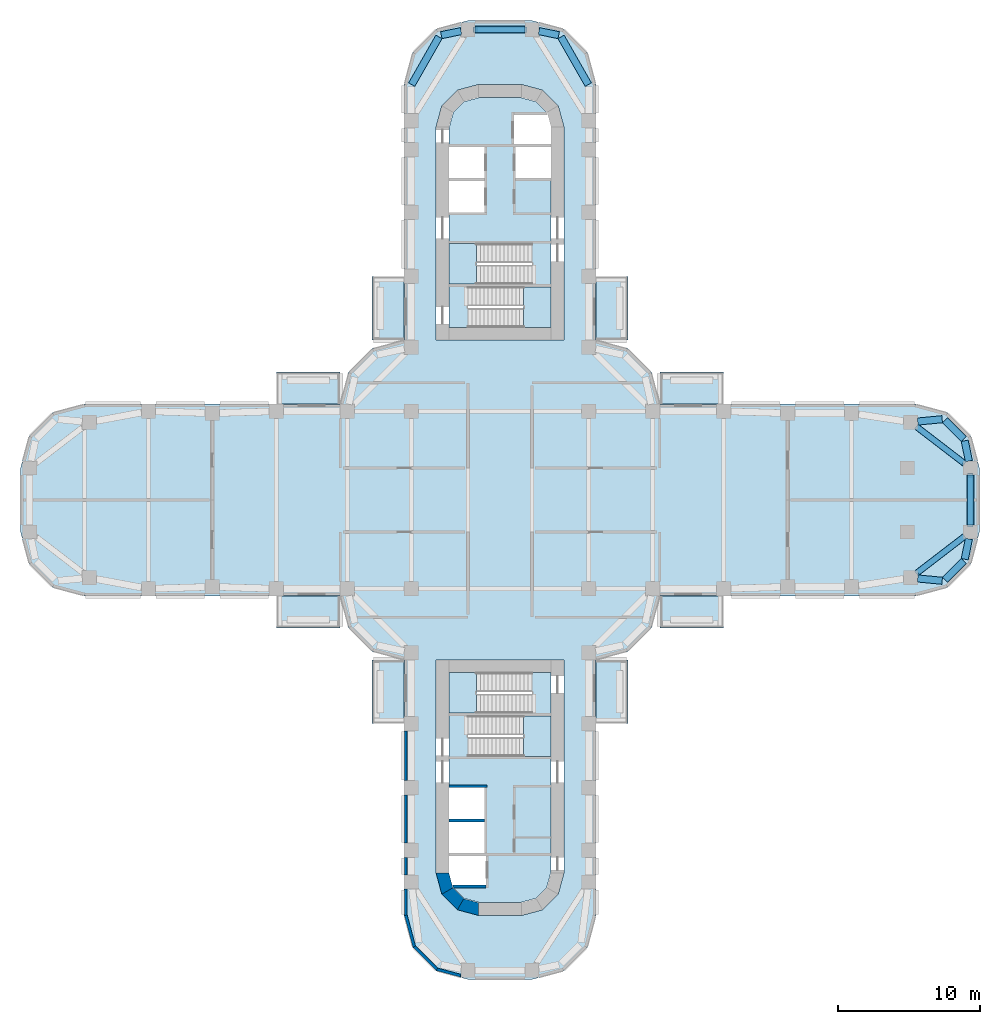
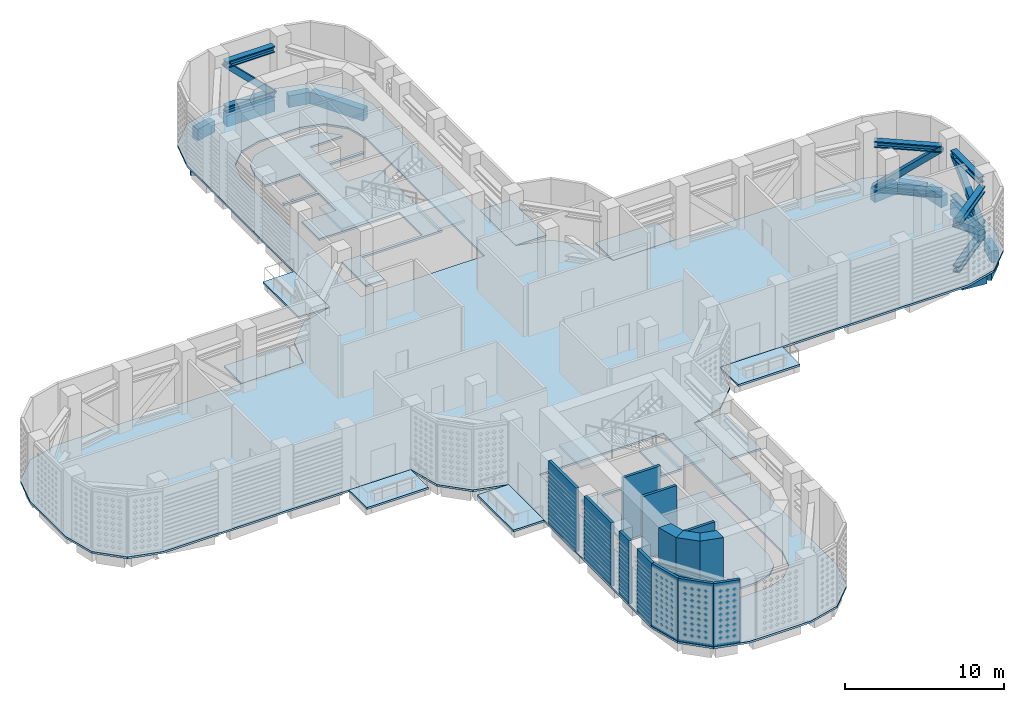
# One storey, part 4 of 20: 15 slabs, 13 walls, 12 beams, 12 members, 4 elements without a shape of their own.
"""IFC4 building model written with IfcOpenShell, lengths in metres."""

from ifc_helpers import new_model, si_unit, direction, frame, frame_2d, origin, origin_2d, place, context, subcontext, project, spatial, polyline, rectangle, hollow_rectangle, i_section, outline, extrude, material, layer, layer_set, material_profile, profile_set, type_object, element, aggregate, save


model = new_model("IFC4")

# Units and contexts
model_context = context("Model", 3, precision=1e-05, world=origin(), true_north=direction((0.0, 1.0)))
body_context = subcontext(model_context, "Body", "Model", "MODEL_VIEW")
ifc_project = project(units=[si_unit("LENGTHUNIT", "METRE"), si_unit("AREAUNIT", "SQUARE_METRE"), si_unit("VOLUMEUNIT", "CUBIC_METRE"), si_unit("PLANEANGLEUNIT", "RADIAN"), si_unit("MASSUNIT", "GRAM", prefix="KILO")], contexts=[model_context])

# Site, building, storey
site_placement = place(None, origin())
site = spatial("IfcSite", under=ifc_project, at=site_placement, CompositionType="ELEMENT")
building_placement = place(site_placement, origin())
building = spatial("IfcBuilding", under=site, at=building_placement, Name="Zarbagh Exchange Tower", CompositionType="ELEMENT")
storey_placement = place(building_placement, frame((0.0, 0.0, 81.60009765625)))
storey = spatial("IfcBuildingStorey", under=building, at=storey_placement, Name="L18", CompositionType="ELEMENT", Elevation=81.60009765625)

# Members
ifc_material_1 = material(Name="Steel ASTM A992 Gr 50", Category="steel")
ifc_material_profile_1 = material_profile(ifc_material_1, i_section(OverallWidth=0.4267578125, OverallDepth=0.482666015625, WebThickness=0.05126953125, FlangeThickness=0.08154296875, at=origin_2d()), Name="W14X455")
ifc_profile_set_1 = profile_set([ifc_material_profile_1], Name="Steel ASTM A992 Gr 50")
member_type_1 = type_object("IfcMemberType", Name="Belt truss chord W14X455", PredefinedType="CHORD", material=ifc_profile_set_1)
for number, where, z_axis, x_axis, name in (
    (1, (-1.75, 33.110107421875, 0.2412109375), (1.0, 0.0, 0.0), (0.0, 1.0, 0.0), "Belt truss chord"),
    (2, (-1.75, 33.110107421875, 3.688720703125), (1.0, 0.0, 0.0), (0.0, 1.0, 0.0), "Belt truss chord"),
):
    element("IfcMember", number, at=place(storey_placement, frame(where, z_axis=z_axis, x_axis=x_axis)), inside=storey, type_object=member_type_1, Name=name, PredefinedType="CHORD", context=body_context, shape_type="SweptSolid", body=[
        extrude(i_section(OverallWidth=0.4267578125, OverallDepth=0.482666015625, WebThickness=0.05126953125, FlangeThickness=0.08154296875, at=origin_2d()), origin(), (0.0, 0.0, 1.0), 3.5),
    ])
for number, where, z_axis, x_axis, name in (
    (3, (29.3046875, 5.170654296875, 0.2412109375), (0.79328252181, -0.608853710336, 0.0), (0.608853710336, 0.79328252181, 0.0), "Belt truss chord"),
    (4, (29.3046875, 5.170654296875, 3.688720703125), (0.79328252181, -0.608853710336, 0.0), (0.608853710336, 0.79328252181, 0.0), "Belt truss chord"),
):
    element("IfcMember", number, at=place(storey_placement, frame(where, z_axis=z_axis, x_axis=x_axis)), inside=storey, type_object=member_type_1, Name=name, PredefinedType="CHORD", context=body_context, shape_type="SweptSolid", body=[
        extrude(i_section(OverallWidth=0.4267578125, OverallDepth=0.482666015625, WebThickness=0.05126953125, FlangeThickness=0.08154296875, at=origin_2d()), origin(), (0.0, 0.0, 1.0), 4.296875),
    ])
for number, where, z_axis, x_axis, name in (
    (5, (33.110107421875, 1.75, 0.2412109375), (0.0, -1.0, 0.0), (1.0, 0.0, 0.0), "Belt truss chord"),
    (6, (33.110107421875, 1.75, 3.688720703125), (0.0, -1.0, 0.0), (1.0, 0.0, 0.0), "Belt truss chord"),
):
    element("IfcMember", number, at=place(storey_placement, frame(where, z_axis=z_axis, x_axis=x_axis)), inside=storey, type_object=member_type_1, Name=name, PredefinedType="CHORD", context=body_context, shape_type="SweptSolid", body=[
        extrude(i_section(OverallWidth=0.4267578125, OverallDepth=0.482666015625, WebThickness=0.05126953125, FlangeThickness=0.08154296875, at=origin_2d()), origin(), (0.0, 0.0, 1.0), 3.5),
    ])
for number, where, z_axis, x_axis, name in (
    (7, (32.71337890625, -2.554443359375, 0.2412109375), (-0.79328252181, -0.608853710336, 0.0), (0.608853710336, -0.79328252181, 0.0), "Belt truss chord"),
    (8, (32.71337890625, -2.554443359375, 3.688720703125), (-0.79328252181, -0.608853710336, 0.0), (0.608853710336, -0.79328252181, 0.0), "Belt truss chord"),
):
    element("IfcMember", number, at=place(storey_placement, frame(where, z_axis=z_axis, x_axis=x_axis)), inside=storey, type_object=member_type_1, Name=name, PredefinedType="CHORD", context=body_context, shape_type="SweptSolid", body=[
        extrude(i_section(OverallWidth=0.4267578125, OverallDepth=0.482666015625, WebThickness=0.05126953125, FlangeThickness=0.08154296875, at=origin_2d()), origin(), (0.0, 0.0, 1.0), 4.296875),
    ])
ifc_material_2 = material(Name="Steel ASTM A500 Gr C", Category="steel")
ifc_material_profile_2 = material_profile(ifc_material_2, hollow_rectangle(XDim=0.406494140625, YDim=0.406494140625, WallThickness=0.017578125, at=origin_2d()), Name="HSS16X16X3/4")
ifc_profile_set_2 = profile_set([ifc_material_profile_2], Name="Steel ASTM A500 Gr C")
member_type_2 = type_object("IfcMemberType", Name="Belt truss diagonal HSS16X16X3/4", PredefinedType="BRACE", material=ifc_profile_set_2)
member_1_placement = place(storey_placement, frame((1.75, 33.110107421875, 0.2412109375), z_axis=(-0.712428822808, 0.0, 0.701744378269), x_axis=(0.0, -1.0, 0.0)))
element("IfcMember", 9, at=member_1_placement, inside=storey, type_object=member_type_2, Name="Belt truss diagonal", PredefinedType="BRACE", context=body_context, shape_type="SweptSolid", body=[
    extrude(hollow_rectangle(XDim=0.406494140625, YDim=0.406494140625, WallThickness=0.017578125, at=origin_2d()), origin(), (0.0, 0.0, 1.0), 4.912841796875),
])
member_2_placement = place(storey_placement, frame((29.3046875, 5.170654296875, 0.2412109375), z_axis=(0.618749784996, -0.47489777224, 0.625796140519), x_axis=(0.608853710336, 0.79328252181, 0.0)))
element("IfcMember", 10, at=member_2_placement, inside=storey, type_object=member_type_2, Name="Belt truss diagonal", PredefinedType="BRACE", context=body_context, shape_type="SweptSolid", body=[
    extrude(hollow_rectangle(XDim=0.406494140625, YDim=0.406494140625, WallThickness=0.017578125, at=origin_2d()), origin(), (0.0, 0.0, 1.0), 5.509033203125),
])
member_3_placement = place(storey_placement, frame((33.110107421875, -1.75, 0.2412109375), z_axis=(0.0, 0.712428822808, 0.701744378269), x_axis=(-1.0, 0.0, 0.0)))
element("IfcMember", 11, at=member_3_placement, inside=storey, type_object=member_type_2, Name="Belt truss diagonal", PredefinedType="BRACE", context=body_context, shape_type="SweptSolid", body=[
    extrude(hollow_rectangle(XDim=0.406494140625, YDim=0.406494140625, WallThickness=0.017578125, at=origin_2d()), origin(), (0.0, 0.0, 1.0), 4.912841796875),
])
member_4_placement = place(storey_placement, frame((32.71337890625, -2.554443359375, 0.2412109375), z_axis=(-0.618749784996, -0.47489777224, 0.625796140519), x_axis=(0.608853710336, -0.79328252181, 0.0)))
element("IfcMember", 12, at=member_4_placement, inside=storey, type_object=member_type_2, Name="Belt truss diagonal", PredefinedType="BRACE", context=body_context, shape_type="SweptSolid", body=[
    extrude(hollow_rectangle(XDim=0.406494140625, YDim=0.406494140625, WallThickness=0.017578125, at=origin_2d()), origin(), (0.0, 0.0, 1.0), 5.509033203125),
])

# Beams
ifc_material_3 = material(Name="Concrete C60/75", Category="concrete")
ifc_material_profile_3 = material_profile(ifc_material_3, rectangle(XDim=0.5, YDim=0.89990234375, at=origin_2d()), Name="RC spandrel beam 500 x 900 C60/75")
ifc_profile_set_3 = profile_set([ifc_material_profile_3], Name="Concrete C60/75")
beam_type = type_object("IfcBeamType", Name="RC spandrel beam 500 x 900 C60/75", PredefinedType="SPANDREL", material=ifc_profile_set_3)
beam_1_placement = place(storey_placement, frame((-6.217041015625, 29.24169921875, -0.60009765625), z_axis=(0.496220481126, 0.868196541177, 0.0), x_axis=(-0.868196541177, 0.496220481126, 0.0)))
element("IfcBeam", 13, at=beam_1_placement, inside=storey, type_object=beam_type, Name="RC spandrel beam", PredefinedType="SPANDREL", context=body_context, shape_type="SweptSolid", body=[
    extrude(rectangle(XDim=0.5, YDim=0.89990234375, at=origin_2d()), origin(), (0.0, 0.0, 1.0), 3.869140625),
])
beam_2_placement = place(storey_placement, frame((-4.130615234375, 32.7216796875, -0.60009765625), z_axis=(0.979352054934, 0.202162193541, 0.0), x_axis=(-0.202162193541, 0.979352054934, 0.0)))
element("IfcBeam", 14, at=beam_2_placement, inside=storey, type_object=beam_type, Name="RC spandrel beam", PredefinedType="SPANDREL", context=body_context, shape_type="SweptSolid", body=[
    extrude(rectangle(XDim=0.5, YDim=0.89990234375, at=origin_2d()), origin(), (0.0, 0.0, 1.0), 1.420166015625),
])
beam_3_placement = place(storey_placement, frame((-1.75, 33.110107421875, -0.60009765625), z_axis=(1.0, 0.0, 0.0), x_axis=(0.0, 1.0, 0.0)))
element("IfcBeam", 15, at=beam_3_placement, inside=storey, type_object=beam_type, Name="RC spandrel beam", PredefinedType="SPANDREL", context=body_context, shape_type="SweptSolid", body=[
    extrude(rectangle(XDim=0.5, YDim=0.89990234375, at=origin_2d()), origin(), (0.0, 0.0, 1.0), 3.5),
])
beam_4_placement = place(storey_placement, frame((2.73974609375, 33.0087890625, -0.60009765625), z_axis=(0.979352054934, -0.202162193541, 0.0), x_axis=(0.202162193541, 0.979352054934, 0.0)))
element("IfcBeam", 16, at=beam_4_placement, inside=storey, type_object=beam_type, Name="RC spandrel beam", PredefinedType="SPANDREL", context=body_context, shape_type="SweptSolid", body=[
    extrude(rectangle(XDim=0.5, YDim=0.89990234375, at=origin_2d()), origin(), (0.0, 0.0, 1.0), 1.420166015625),
])
beam_5_placement = place(storey_placement, frame((4.297119140625, 32.600830078125, -0.60009765625), z_axis=(0.496220481126, -0.868196541177, 0.0), x_axis=(0.868196541177, 0.496220481126, 0.0)))
element("IfcBeam", 17, at=beam_5_placement, inside=storey, type_object=beam_type, Name="RC spandrel beam", PredefinedType="SPANDREL", context=body_context, shape_type="SweptSolid", body=[
    extrude(rectangle(XDim=0.5, YDim=0.89990234375, at=origin_2d()), origin(), (0.0, 0.0, 1.0), 3.869140625),
])
beam_6_placement = place(storey_placement, frame((29.40576171875, 5.522705078125, -0.60009765625), z_axis=(0.995431032456, 0.095483294999, 0.0), x_axis=(-0.095483294999, 0.995431032456, 0.0)))
element("IfcBeam", 18, at=beam_6_placement, inside=storey, type_object=beam_type, Name="RC spandrel beam", PredefinedType="SPANDREL", context=body_context, shape_type="SweptSolid", body=[
    extrude(rectangle(XDim=0.5, YDim=0.89990234375, at=origin_2d()), origin(), (0.0, 0.0, 1.0), 1.725830078125),
])
beam_7_placement = place(storey_placement, frame((31.324462890625, 5.615478515625, -0.60009765625), z_axis=(0.707172099812, -0.707041456527, 0.0), x_axis=(0.707041456527, 0.707172099812, 0.0)))
element("IfcBeam", 19, at=beam_7_placement, inside=storey, type_object=beam_type, Name="RC spandrel beam", PredefinedType="SPANDREL", context=body_context, shape_type="SweptSolid", body=[
    extrude(rectangle(XDim=0.5, YDim=0.89990234375, at=origin_2d()), origin(), (0.0, 0.0, 1.0), 1.86865234375),
])
beam_8_placement = place(storey_placement, frame((32.714111328125, 4.16796875, -0.60009765625), z_axis=(0.202068589164, -0.9793713725, 0.0), x_axis=(0.9793713725, 0.202068589164, 0.0)))
element("IfcBeam", 20, at=beam_8_placement, inside=storey, type_object=beam_type, Name="RC spandrel beam", PredefinedType="SPANDREL", context=body_context, shape_type="SweptSolid", body=[
    extrude(rectangle(XDim=0.5, YDim=0.89990234375, at=origin_2d()), origin(), (0.0, 0.0, 1.0), 1.458251953125),
])
beam_9_placement = place(storey_placement, frame((33.110107421875, 1.75, -0.60009765625), z_axis=(0.0, -1.0, 0.0), x_axis=(1.0, 0.0, 0.0)))
element("IfcBeam", 21, at=beam_9_placement, inside=storey, type_object=beam_type, Name="RC spandrel beam", PredefinedType="SPANDREL", context=body_context, shape_type="SweptSolid", body=[
    extrude(rectangle(XDim=0.5, YDim=0.89990234375, at=origin_2d()), origin(), (0.0, 0.0, 1.0), 3.5),
])
beam_10_placement = place(storey_placement, frame((33.0087890625, -2.73974609375, -0.60009765625), z_axis=(-0.202068589164, -0.9793713725, 0.0), x_axis=(0.9793713725, -0.202068589164, 0.0)))
element("IfcBeam", 22, at=beam_10_placement, inside=storey, type_object=beam_type, Name="RC spandrel beam", PredefinedType="SPANDREL", context=body_context, shape_type="SweptSolid", body=[
    extrude(rectangle(XDim=0.5, YDim=0.89990234375, at=origin_2d()), origin(), (0.0, 0.0, 1.0), 1.458251953125),
])
beam_11_placement = place(storey_placement, frame((32.64599609375, -4.294189453125, -0.60009765625), z_axis=(-0.707172099812, -0.707041456527, 0.0), x_axis=(0.707041456527, -0.707172099812, 0.0)))
element("IfcBeam", 23, at=beam_11_placement, inside=storey, type_object=beam_type, Name="RC spandrel beam", PredefinedType="SPANDREL", context=body_context, shape_type="SweptSolid", body=[
    extrude(rectangle(XDim=0.5, YDim=0.89990234375, at=origin_2d()), origin(), (0.0, 0.0, 1.0), 1.86865234375),
])
beam_12_placement = place(storey_placement, frame((31.123779296875, -5.6875, -0.60009765625), z_axis=(-0.995431032456, 0.095483294999, 0.0), x_axis=(-0.095483294999, -0.995431032456, 0.0)))
element("IfcBeam", 24, at=beam_12_placement, inside=storey, type_object=beam_type, Name="RC spandrel beam", PredefinedType="SPANDREL", context=body_context, shape_type="SweptSolid", body=[
    extrude(rectangle(XDim=0.5, YDim=0.89990234375, at=origin_2d()), origin(), (0.0, 0.0, 1.0), 1.725830078125),
])

# Slabs
ifc_material_4 = material(Name="Concrete C40/50", Category="concrete")
ifc_layer_1 = layer(ifc_material_4, 0.14990234375)
ifc_layer_set_1 = layer_set([ifc_layer_1], Name="Composite floor slab 150 C40/50")
slab_type_1 = type_object("IfcSlabType", Name="Composite floor slab 150 C40/50", PredefinedType="FLOOR", material=ifc_layer_set_1)
slab_1_placement = place(storey_placement, frame((0.0, 0.0, -0.150146484375)))
element("IfcSlab", 25, at=slab_1_placement, inside=storey, type_object=slab_type_1, Name="S5 composite floor slab", PredefinedType="FLOOR", context=body_context, shape_type="SweptSolid", body=[
    extrude(outline(polyline([(-2.25, -33.75), (-4.5, -33.147216796875), (-6.147216796875, -31.5), (-6.75, -29.25), (-6.75, -11.25), (-9.0, -10.647216796875), (-10.647216796875, -9.0), (-11.25, -6.75), (-29.25, -6.75), (-31.5, -6.147216796875), (-33.147216796875, -4.5), (-33.75, -2.25), (-33.75, 2.25), (-33.147216796875, 4.5), (-31.5, 6.147216796875), (-29.25, 6.75), (-11.25, 6.75), (-10.647216796875, 9.0), (-9.0, 10.647216796875), (-6.75, 11.25), (-6.75, 29.25), (-6.147216796875, 31.5), (-4.5, 33.147216796875), (-2.25, 33.75), (2.25, 33.75), (4.5, 33.147216796875), (6.147216796875, 31.5), (6.75, 29.25), (6.75, 11.25), (9.0, 10.647216796875), (10.647216796875, 9.0), (11.25, 6.75), (29.25, 6.75), (31.5, 6.147216796875), (33.147216796875, 4.5), (33.75, 2.25), (33.75, -2.25), (33.147216796875, -4.5), (31.5, -6.147216796875), (29.25, -6.75), (11.25, -6.75), (10.647216796875, -9.0), (9.0, -10.647216796875), (6.75, -11.25), (6.75, -29.25), (6.147216796875, -31.5), (4.5, -33.147216796875), (2.25, -33.75), (-2.25, -33.75)]), holes=[polyline([(4.5, 11.25), (4.5, 26.25), (4.09814453125, 27.75), (3.0, 28.84814453125), (1.5, 29.25), (-1.5, 29.25), (-3.0, 28.84814453125), (-4.09814453125, 27.75), (-4.5, 26.25), (-4.5, 11.25), (4.5, 11.25)]), polyline([(-1.5, -29.25), (1.5, -29.25), (3.0, -28.84814453125), (4.09814453125, -27.75), (4.5, -26.25), (4.5, -11.25), (-4.5, -11.25), (-4.5, -26.25), (-4.09814453125, -27.75), (-3.0, -28.84814453125), (-1.5, -29.25)])]), origin(), (0.0, 0.0, 1.0), 0.150146484375),
])
ifc_layer_2 = layer(ifc_material_4, 0.14990234375)
ifc_layer_set_2 = layer_set([ifc_layer_2], Name="Core floor slab 150 C40/50")
slab_type_2 = type_object("IfcSlabType", Name="Core floor slab 150 C40/50", PredefinedType="FLOOR", material=ifc_layer_set_2)
slab_2_placement = place(storey_placement, frame((0.0, 0.0, -0.150146484375)))
element("IfcSlab", 26, at=slab_2_placement, inside=storey, type_object=slab_type_2, Name="S17 core N", PredefinedType="FLOOR", context=body_context, shape_type="SweptSolid", body=[
    extrude(outline(polyline([(-3.60009765625, 12.14990234375), (-3.60009765625, 15.199951171875), (2.25, 15.199951171875), (2.25, 18.050048828125), (-3.60009765625, 18.050048828125), (-3.60009765625, 20.25), (-1.10009765625, 20.25), (-1.10009765625, 22.449951171875), (-3.60009765625, 22.449951171875), (-3.60009765625, 22.64990234375), (-1.10009765625, 22.64990234375), (-1.10009765625, 24.85009765625), (-3.60009765625, 24.85009765625), (-3.60009765625, 26.131591796875), (-3.291259765625, 27.2841796875), (-2.5341796875, 28.041259765625), (-1.381591796875, 28.35009765625), (1.381591796875, 28.35009765625), (2.5341796875, 28.041259765625), (3.291259765625, 27.2841796875), (3.340576171875, 27.10009765625), (1.0, 27.10009765625), (1.0, 25.050048828125), (3.60009765625, 25.050048828125), (3.60009765625, 24.85009765625), (1.10009765625, 24.85009765625), (1.10009765625, 22.64990234375), (3.60009765625, 22.64990234375), (3.60009765625, 15.0), (-2.25, 15.0), (-2.25, 12.14990234375), (-3.60009765625, 12.14990234375)])), origin(), (0.0, 0.0, 1.0), 0.150146484375),
])
slab_3_placement = place(storey_placement, frame((0.0, 0.0, -0.150146484375)))
element("IfcSlab", 27, at=slab_3_placement, inside=storey, type_object=slab_type_2, Name="S17 core S", PredefinedType="FLOOR", context=body_context, shape_type="SweptSolid", body=[
    extrude(outline(polyline([(-2.5341796875, -28.041259765625), (-3.291259765625, -27.2841796875), (-3.340576171875, -27.10009765625), (-1.0, -27.10009765625), (-1.0, -25.050048828125), (-3.60009765625, -25.050048828125), (-3.60009765625, -24.85009765625), (-1.10009765625, -24.85009765625), (-1.10009765625, -22.64990234375), (-3.60009765625, -22.64990234375), (-3.60009765625, -22.449951171875), (-1.10009765625, -22.449951171875), (-1.10009765625, -20.25), (-3.60009765625, -20.25), (-3.60009765625, -15.0), (2.25, -15.0), (2.25, -12.14990234375), (3.60009765625, -12.14990234375), (3.60009765625, -15.199951171875), (-2.25, -15.199951171875), (-2.25, -18.050048828125), (3.60009765625, -18.050048828125), (3.60009765625, -26.131591796875), (3.291259765625, -27.2841796875), (2.5341796875, -28.041259765625), (1.381591796875, -28.35009765625), (-1.381591796875, -28.35009765625), (-2.5341796875, -28.041259765625)])), origin(), (0.0, 0.0, 1.0), 0.150146484375),
])

# Stair, slab
stair_type = type_object("IfcStairType", Name="Exit stair two-flight half-turn", PredefinedType="HALF_TURN_STAIR", material=ifc_material_4)
stair_1_placement = place(storey_placement, origin())
stair_1 = element("IfcStair", 28, at=stair_1_placement, inside=storey, type_object=stair_type, Name="exit stair ST1", PredefinedType="HALF_TURN_STAIR")
ifc_layer_3 = layer(ifc_material_4, 0.199951171875)
ifc_layer_set_3 = layer_set([ifc_layer_3], Name="Stair landing 200 mm")
slab_type_3 = type_object("IfcSlabType", Name="Stair landing 200 mm", PredefinedType="LANDING", material=ifc_layer_set_3)
slab_4_placement = place(storey_placement, frame((0.0, 0.0, 2.2998046875)))
slab_4 = element("IfcSlab", 29, at=slab_4_placement, type_object=slab_type_3, Name="ST1 landing 1", PredefinedType="LANDING", context=body_context, shape_type="SweptSolid", body=[
    extrude(outline(polyline([(-1.669921875, 18.050048828125), (-3.60009765625, 18.050048828125), (-3.60009765625, 15.199951171875), (-1.669921875, 15.199951171875), (-1.669921875, 18.050048828125)])), origin(), (0.0, 0.0, 1.0), 0.2001953125),
])
aggregate(stair_1, [slab_4])

stair_2_placement = place(storey_placement, origin())
stair_2 = element("IfcStair", 30, at=stair_2_placement, inside=storey, type_object=stair_type, Name="exit stair ST2", PredefinedType="HALF_TURN_STAIR")
slab_5_placement = place(storey_placement, frame((0.0, 0.0, 2.2998046875)))
slab_5 = element("IfcSlab", 31, at=slab_5_placement, type_object=slab_type_3, Name="ST2 landing 1", PredefinedType="LANDING", context=body_context, shape_type="SweptSolid", body=[
    extrude(outline(polyline([(1.669921875, 12.14990234375), (3.60009765625, 12.14990234375), (3.60009765625, 15.0), (1.669921875, 15.0), (1.669921875, 12.14990234375)])), origin(), (0.0, 0.0, 1.0), 0.2001953125),
])
aggregate(stair_2, [slab_5])

stair_3_placement = place(storey_placement, origin())
stair_3 = element("IfcStair", 32, at=stair_3_placement, inside=storey, type_object=stair_type, Name="exit stair ST3", PredefinedType="HALF_TURN_STAIR")
slab_6_placement = place(storey_placement, frame((0.0, 0.0, 2.2998046875)))
slab_6 = element("IfcSlab", 33, at=slab_6_placement, type_object=slab_type_3, Name="ST3 landing 1", PredefinedType="LANDING", context=body_context, shape_type="SweptSolid", body=[
    extrude(outline(polyline([(1.669921875, -18.050048828125), (3.60009765625, -18.050048828125), (3.60009765625, -15.199951171875), (1.669921875, -15.199951171875), (1.669921875, -18.050048828125)])), origin(), (0.0, 0.0, 1.0), 0.2001953125),
])
aggregate(stair_3, [slab_6])

stair_4_placement = place(storey_placement, origin())
stair_4 = element("IfcStair", 34, at=stair_4_placement, inside=storey, type_object=stair_type, Name="exit stair ST4", PredefinedType="HALF_TURN_STAIR")
slab_7_placement = place(storey_placement, frame((0.0, 0.0, 2.2998046875)))
slab_7 = element("IfcSlab", 35, at=slab_7_placement, type_object=slab_type_3, Name="ST4 landing 1", PredefinedType="LANDING", context=body_context, shape_type="SweptSolid", body=[
    extrude(outline(polyline([(-1.669921875, -12.14990234375), (-3.60009765625, -12.14990234375), (-3.60009765625, -15.0), (-1.669921875, -15.0), (-1.669921875, -12.14990234375)])), origin(), (0.0, 0.0, 1.0), 0.2001953125),
])
aggregate(stair_4, [slab_7])

# Slabs
ifc_layer_4 = layer(ifc_material_4, 0.14990234375)
ifc_layer_set_4 = layer_set([ifc_layer_4], Name="Winter garden terrace slab 150 C40/50")
slab_type_4 = type_object("IfcSlabType", Name="Winter garden terrace slab 150 C40/50", PredefinedType="USERDEFINED", material=ifc_layer_set_4)
slab_8_placement = place(storey_placement, frame((0.0, 0.0, -0.150146484375)))
element("IfcSlab", 36, at=slab_8_placement, inside=storey, type_object=slab_type_4, Name="S9 winter garden terrace slab", ObjectType="Winter garden slab", PredefinedType="USERDEFINED", context=body_context, shape_type="SweptSolid", body=[
    extrude(outline(polyline([(9.0, 11.25), (9.0, 15.75), (6.75, 15.75), (6.75, 11.25), (9.0, 11.25)])), origin(), (0.0, 0.0, 1.0), 0.150146484375),
])
slab_9_placement = place(storey_placement, frame((0.0, 0.0, -0.150146484375)))
element("IfcSlab", 37, at=slab_9_placement, inside=storey, type_object=slab_type_4, Name="S9 winter garden terrace slab", ObjectType="Winter garden slab", PredefinedType="USERDEFINED", context=body_context, shape_type="SweptSolid", body=[
    extrude(outline(polyline([(15.75, 6.75), (15.75, 9.0), (11.25, 9.0), (11.25, 6.75), (15.75, 6.75)])), origin(), (0.0, 0.0, 1.0), 0.150146484375),
])
slab_10_placement = place(storey_placement, frame((0.0, 0.0, -0.150146484375)))
element("IfcSlab", 38, at=slab_10_placement, inside=storey, type_object=slab_type_4, Name="S9 winter garden terrace slab", ObjectType="Winter garden slab", PredefinedType="USERDEFINED", context=body_context, shape_type="SweptSolid", body=[
    extrude(outline(polyline([(9.0, -15.75), (9.0, -11.25), (6.75, -11.25), (6.75, -15.75), (9.0, -15.75)])), origin(), (0.0, 0.0, 1.0), 0.150146484375),
])
slab_11_placement = place(storey_placement, frame((0.0, 0.0, -0.150146484375)))
element("IfcSlab", 39, at=slab_11_placement, inside=storey, type_object=slab_type_4, Name="S9 winter garden terrace slab", ObjectType="Winter garden slab", PredefinedType="USERDEFINED", context=body_context, shape_type="SweptSolid", body=[
    extrude(outline(polyline([(15.75, -9.0), (15.75, -6.75), (11.25, -6.75), (11.25, -9.0), (15.75, -9.0)])), origin(), (0.0, 0.0, 1.0), 0.150146484375),
])
slab_12_placement = place(storey_placement, frame((0.0, 0.0, -0.150146484375)))
element("IfcSlab", 40, at=slab_12_placement, inside=storey, type_object=slab_type_4, Name="S9 winter garden terrace slab", ObjectType="Winter garden slab", PredefinedType="USERDEFINED", context=body_context, shape_type="SweptSolid", body=[
    extrude(outline(polyline([(-6.75, 11.25), (-6.75, 15.75), (-9.0, 15.75), (-9.0, 11.25), (-6.75, 11.25)])), origin(), (0.0, 0.0, 1.0), 0.150146484375),
])
slab_13_placement = place(storey_placement, frame((0.0, 0.0, -0.150146484375)))
element("IfcSlab", 41, at=slab_13_placement, inside=storey, type_object=slab_type_4, Name="S9 winter garden terrace slab", ObjectType="Winter garden slab", PredefinedType="USERDEFINED", context=body_context, shape_type="SweptSolid", body=[
    extrude(outline(polyline([(-11.25, 6.75), (-11.25, 9.0), (-15.75, 9.0), (-15.75, 6.75), (-11.25, 6.75)])), origin(), (0.0, 0.0, 1.0), 0.150146484375),
])
slab_14_placement = place(storey_placement, frame((0.0, 0.0, -0.150146484375)))
element("IfcSlab", 42, at=slab_14_placement, inside=storey, type_object=slab_type_4, Name="S9 winter garden terrace slab", ObjectType="Winter garden slab", PredefinedType="USERDEFINED", context=body_context, shape_type="SweptSolid", body=[
    extrude(outline(polyline([(-6.75, -15.75), (-6.75, -11.25), (-9.0, -11.25), (-9.0, -15.75), (-6.75, -15.75)])), origin(), (0.0, 0.0, 1.0), 0.150146484375),
])
slab_15_placement = place(storey_placement, frame((0.0, 0.0, -0.150146484375)))
element("IfcSlab", 43, at=slab_15_placement, inside=storey, type_object=slab_type_4, Name="S9 winter garden terrace slab", ObjectType="Winter garden slab", PredefinedType="USERDEFINED", context=body_context, shape_type="SweptSolid", body=[
    extrude(outline(polyline([(-11.25, -9.0), (-11.25, -6.75), (-15.75, -6.75), (-15.75, -9.0), (-11.25, -9.0)])), origin(), (0.0, 0.0, 1.0), 0.150146484375),
])

# Walls
ifc_material_5 = material(Name="Precast concrete C50/60", Category="concrete")
ifc_layer_5 = layer(ifc_material_5, 0.199951171875)
ifc_layer_set_5 = layer_set([ifc_layer_5], Name="Plant wall, precast concrete C50/60")
wall_type_1 = type_object("IfcWallType", Name="Plant wall, precast concrete C50/60", PredefinedType="SOLIDWALL", material=ifc_layer_set_5)
wall_1_placement = place(storey_placement, origin())
element("IfcWall", 44, at=wall_1_placement, inside=storey, type_object=wall_type_1, Name="PW44 plant wall", PredefinedType="SOLIDWALL", context=body_context, shape_type="SweptSolid", body=[
    extrude(outline(polyline([(-6.72998046875, -16.25), (-6.72998046875, -19.75), (-6.530029296875, -19.75), (-6.530029296875, -16.25), (-6.72998046875, -16.25)])), origin(), (0.0, 0.0, 1.0), 4.849853515625),
])
wall_2_placement = place(storey_placement, origin())
element("IfcWall", 45, at=wall_2_placement, inside=storey, type_object=wall_type_1, Name="PW44 plant wall", PredefinedType="SOLIDWALL", context=body_context, shape_type="SweptSolid", body=[
    extrude(outline(polyline([(-6.72998046875, -20.75), (-6.72998046875, -24.14990234375), (-6.530029296875, -24.14990234375), (-6.530029296875, -20.75), (-6.72998046875, -20.75)])), origin(), (0.0, 0.0, 1.0), 4.849853515625),
])
wall_3_placement = place(storey_placement, origin())
element("IfcWall", 46, at=wall_3_placement, inside=storey, type_object=wall_type_1, Name="PW44 plant wall", PredefinedType="SOLIDWALL", context=body_context, shape_type="SweptSolid", body=[
    extrude(outline(polyline([(-6.72998046875, -25.14990234375), (-6.72998046875, -26.39990234375), (-6.530029296875, -26.39990234375), (-6.530029296875, -25.14990234375), (-6.72998046875, -25.14990234375)])), origin(), (0.0, 0.0, 1.0), 4.849853515625),
])
wall_4_placement = place(storey_placement, origin())
element("IfcWall", 47, at=wall_4_placement, inside=storey, type_object=wall_type_1, Name="PW44 plant wall", PredefinedType="SOLIDWALL", context=body_context, shape_type="SweptSolid", body=[
    extrude(outline(polyline([(-6.72998046875, -27.39990234375), (-6.72998046875, -29.247314453125), (-6.530029296875, -29.220947265625), (-6.530029296875, -27.39990234375), (-6.72998046875, -27.39990234375)])), origin(), (0.0, 0.0, 1.0), 4.849853515625),
])
wall_5_placement = place(storey_placement, origin())
element("IfcWall", 48, at=wall_5_placement, inside=storey, type_object=wall_type_1, Name="PW45 plant wall", PredefinedType="SOLIDWALL", context=body_context, shape_type="SweptSolid", body=[
    extrude(outline(polyline([(-6.72998046875, -29.247314453125), (-6.129150390625, -31.48974609375), (-5.949951171875, -31.38623046875), (-6.530029296875, -29.220947265625), (-6.72998046875, -29.247314453125)])), origin(), (0.0, 0.0, 1.0), 4.849853515625),
])
wall_6_placement = place(storey_placement, origin())
element("IfcWall", 49, at=wall_6_placement, inside=storey, type_object=wall_type_1, Name="PW46 plant wall", PredefinedType="SOLIDWALL", context=body_context, shape_type="SweptSolid", body=[
    extrude(outline(polyline([(-6.129150390625, -31.48974609375), (-4.48974609375, -33.129150390625), (-4.38623046875, -32.949951171875), (-5.949951171875, -31.38623046875), (-6.129150390625, -31.48974609375)])), origin(), (0.0, 0.0, 1.0), 4.849853515625),
])
wall_7_placement = place(storey_placement, origin())
element("IfcWall", 50, at=wall_7_placement, inside=storey, type_object=wall_type_1, Name="PW47 plant wall", PredefinedType="SOLIDWALL", context=body_context, shape_type="SweptSolid", body=[
    extrude(outline(polyline([(-4.48974609375, -33.129150390625), (-2.802490234375, -33.581298828125), (-2.750732421875, -33.38818359375), (-4.38623046875, -32.949951171875), (-4.48974609375, -33.129150390625)])), origin(), (0.0, 0.0, 1.0), 4.849853515625),
])
ifc_layer_6 = layer(ifc_material_3, 0.89990234375)
ifc_layer_set_6 = layer_set([ifc_layer_6], Name="RC core corner wall 900 C60/75")
wall_type_2 = type_object("IfcWallType", Name="RC core corner wall 900 C60/75", PredefinedType="SHEAR", material=ifc_layer_set_6)
wall_8_placement = place(storey_placement, origin())
element("IfcWall", 51, at=wall_8_placement, inside=storey, type_object=wall_type_2, Name="CW2 core S corner W", PredefinedType="SHEAR", context=body_context, shape_type="SweptSolid", body=[
    extrude(outline(polyline([(-4.5, -26.25), (-4.09814453125, -27.75), (-3.318603515625, -27.300048828125), (-3.60009765625, -26.25), (-4.5, -26.25)])), origin(), (0.0, 0.0, 1.0), 5.0),
])
wall_9_placement = place(storey_placement, origin())
element("IfcWall", 52, at=wall_9_placement, inside=storey, type_object=wall_type_2, Name="CW2 core S corner W", PredefinedType="SHEAR", context=body_context, shape_type="SweptSolid", body=[
    extrude(outline(polyline([(-4.09814453125, -27.75), (-3.0, -28.84814453125), (-2.550048828125, -28.068603515625), (-3.318603515625, -27.300048828125), (-4.09814453125, -27.75)])), origin(), (0.0, 0.0, 1.0), 5.0),
])
wall_10_placement = place(storey_placement, origin())
element("IfcWall", 53, at=wall_10_placement, inside=storey, type_object=wall_type_2, Name="CW2 core S corner W", PredefinedType="SHEAR", context=body_context, shape_type="SweptSolid", body=[
    extrude(outline(polyline([(-3.0, -28.84814453125), (-1.5, -29.25), (-1.5, -28.35009765625), (-2.550048828125, -28.068603515625), (-3.0, -28.84814453125)])), origin(), (0.0, 0.0, 1.0), 5.0),
])
ifc_material_6 = material(Name="Dense blockwork", Category="masonry")
ifc_layer_7 = layer(ifc_material_6, 0.199951171875)
ifc_layer_set_7 = layer_set([ifc_layer_7], Name="Shaft wall 200 mm blockwork")
wall_type_3 = type_object("IfcWallType", Name="Shaft wall 200 mm blockwork", PredefinedType="PARTITIONING", material=ifc_layer_set_7)
wall_11_placement = place(storey_placement, frame((-0.89990234375, -20.14990234375, 0.0), z_axis=(0.0, 0.0, 1.0), x_axis=(-1.0, 0.0, 0.0)))
element("IfcWall", 54, at=wall_11_placement, inside=storey, type_object=wall_type_3, Name="South core shaft wall AB-E", PredefinedType="PARTITIONING", context=body_context, shape_type="SweptSolid", body=[
    extrude(rectangle(XDim=2.7001953125, YDim=0.199951171875, at=frame_2d((1.35009765625, 0.0))), origin(), (0.0, 0.0, 1.0), 4.849853515625),
])
wall_12_placement = place(storey_placement, frame((-1.10009765625, -22.550048828125, 0.0), z_axis=(0.0, 0.0, 1.0), x_axis=(-1.0, 0.0, 0.0)))
element("IfcWall", 55, at=wall_12_placement, inside=storey, type_object=wall_type_3, Name="South core shaft wall TR-E", PredefinedType="PARTITIONING", context=body_context, shape_type="SweptSolid", body=[
    extrude(rectangle(XDim=2.5, YDim=0.199951171875, at=frame_2d((1.25, 0.0))), origin(), (0.0, 0.0, 1.0), 4.849853515625),
])
ifc_layer_8 = layer(ifc_material_4, 0.199951171875)
ifc_layer_set_8 = layer_set([ifc_layer_8], Name="Stair enclosure wall 200 mm RC C40/50")
wall_type_4 = type_object("IfcWallType", Name="Stair enclosure wall 200 mm RC C40/50", PredefinedType="SHEAR", material=ifc_layer_set_8)
wall_13_placement = place(storey_placement, origin())
element("IfcWall", 56, at=wall_13_placement, inside=storey, type_object=wall_type_4, Name="South core lift shaft wall FFX", PredefinedType="SHEAR", context=body_context, shape_type="SweptSolid", body=[
    extrude(outline(polyline([(-1.0, -27.10009765625), (-3.340576171875, -27.10009765625), (-3.291259765625, -27.2841796875), (-3.275390625, -27.300048828125), (-1.0, -27.300048828125), (-1.0, -27.10009765625)])), origin(), (0.0, 0.0, 1.0), 4.849853515625),
])

save(model, "model.ifc")
